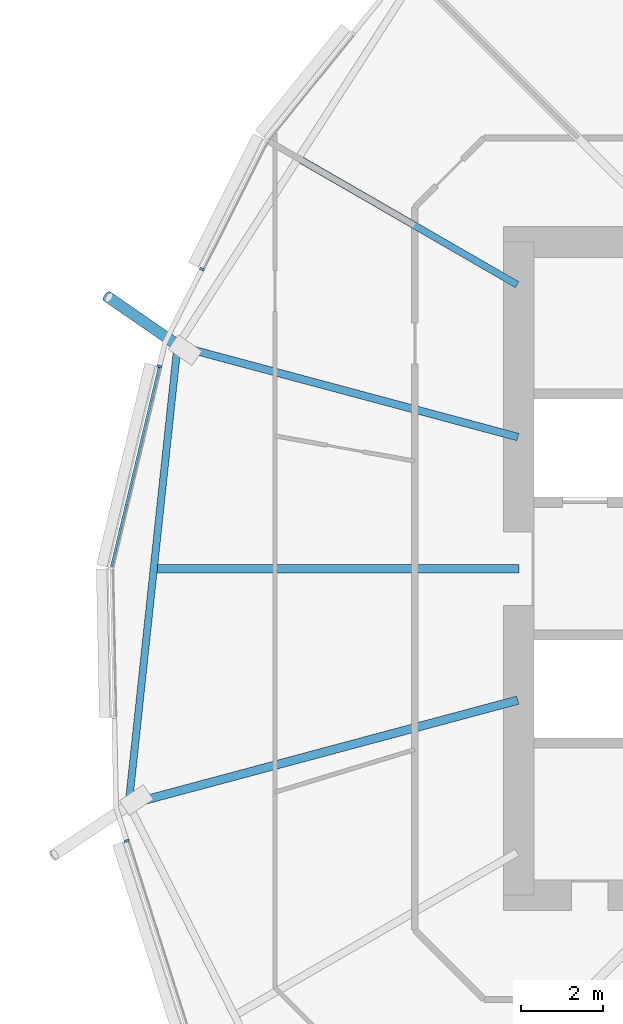
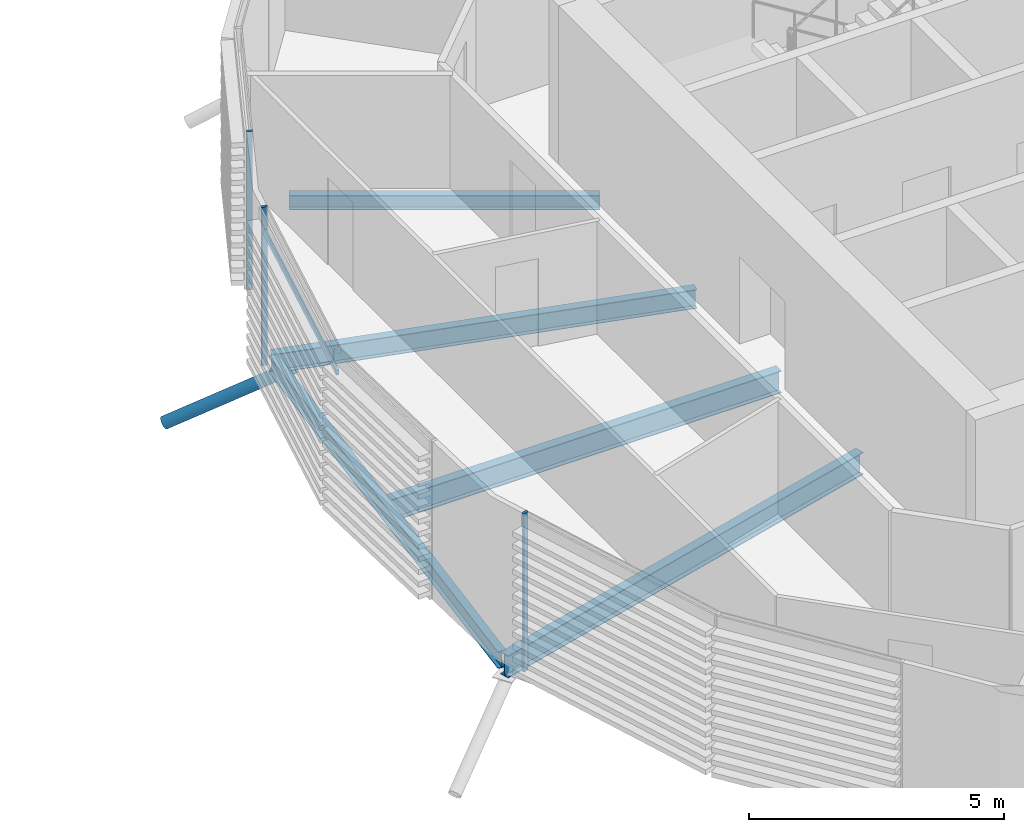
# One storey, part 14 of 38: 5 beams, 5 members, 1 element without a shape of its own.
"""IFC4 building model written with IfcOpenShell, lengths in metres."""

from ifc_helpers import new_model, si_unit, direction, frame, origin, origin_2d, place, context, subcontext, project, spatial, rectangle, hollow_circle, i_section, extrude, clip, halfspace, material, material_profile, profile_set, type_object, element, aggregate, save


model = new_model("IFC4")

# Units and contexts
model_context = context("Model", 3, precision=1e-05, world=origin(), true_north=direction((0.0, 1.0)))
body_context = subcontext(model_context, "Body", "Model", "MODEL_VIEW")
ifc_project = project(units=[si_unit("LENGTHUNIT", "METRE"), si_unit("AREAUNIT", "SQUARE_METRE"), si_unit("VOLUMEUNIT", "CUBIC_METRE"), si_unit("PLANEANGLEUNIT", "RADIAN"), si_unit("MASSUNIT", "GRAM", prefix="KILO")], contexts=[model_context])

# Site, building, storey
site_placement = place(None, origin())
site = spatial("IfcSite", under=ifc_project, at=site_placement, CompositionType="ELEMENT")
building_placement = place(site_placement, origin())
building = spatial("IfcBuilding", under=site, at=building_placement, Name="Rimbun Link Towers", CompositionType="ELEMENT")
storey_placement = place(building_placement, frame((0.0, 0.0, 108.199951171875)))
storey = spatial("IfcBuildingStorey", under=building, at=storey_placement, Name="L26", CompositionType="ELEMENT", Elevation=108.199951171875)

# Curtain wall, members
ifc_material_1 = material(Name="Aluminium 6063-T6 and low-iron glass", Category="aluminium")
curtain_wall_type = type_object("IfcCurtainWallType", Name="CW1-Z2 unitised vision wall (zone 2)", PredefinedType="NOTDEFINED", material=ifc_material_1)
curtain_wall_placement = place(storey_placement, origin())
curtain_wall = element("IfcCurtainWall", 1, at=curtain_wall_placement, inside=storey, type_object=curtain_wall_type, Name="CW1 L26 T2", PredefinedType="NOTDEFINED")
ifc_material_2 = material(Name="Aluminium 6063-T6", Category="aluminium")
ifc_material_profile_1 = material_profile(ifc_material_2, rectangle(XDim=0.1201171875, YDim=0.06005859375, at=origin_2d()), Name="MULLION 60X120")
ifc_profile_set_1 = profile_set([ifc_material_profile_1], Name="Aluminium 6063-T6")
member_type_1 = type_object("IfcMemberType", Name="CW1 mullion 60X120", PredefinedType="MULLION", material=ifc_profile_set_1)
member_1_placement = place(storey_placement, frame((11.98486328125, 7.33642578125, 0.0), z_axis=(0.0, 0.0, 1.0), x_axis=(-0.893637595797, 0.448789312905, 0.0)))
member_1 = element("IfcMember", 2, at=member_1_placement, type_object=member_type_1, Name="CW1 mullion", PredefinedType="MULLION", context=body_context, shape_type="SweptSolid", body=[
    extrude(rectangle(XDim=0.1201171875, YDim=0.06005859375, at=origin_2d()), origin(), (0.0, 0.0, 1.0), 3.800048828125),
])
member_2_placement = place(storey_placement, frame((10.943115234375, 4.95263671875, 0.0), z_axis=(0.0, 0.0, 1.0), x_axis=(-0.972575947038, 0.232585526726, 0.0)))
member_2 = element("IfcMember", 3, at=member_2_placement, type_object=member_type_1, Name="CW1 mullion", PredefinedType="MULLION", context=body_context, shape_type="SweptSolid", body=[
    extrude(rectangle(XDim=0.1201171875, YDim=0.06005859375, at=origin_2d()), origin(), (0.0, 0.0, 1.0), 3.800048828125),
])
member_3_placement = place(storey_placement, frame((10.143798828125, -6.671142578125, 0.0), z_axis=(0.0, 0.0, 1.0), x_axis=(-0.952972314709, -0.303057366512, 0.0)))
member_3 = element("IfcMember", 4, at=member_3_placement, type_object=member_type_1, Name="CW1 mullion", PredefinedType="MULLION", context=body_context, shape_type="SweptSolid", body=[
    extrude(rectangle(XDim=0.1201171875, YDim=0.06005859375, at=origin_2d()), origin(), (0.0, 0.0, 1.0), 3.800048828125),
])
ifc_material_3 = material(Name="Aluminium 6063-T6", Category="aluminium")
ifc_material_profile_2 = material_profile(ifc_material_3, rectangle(XDim=0.06005859375, YDim=0.1201171875, at=origin_2d()), Name="TRANSOM 60X120")
ifc_profile_set_2 = profile_set([ifc_material_profile_2], Name="Aluminium 6063-T6")
member_type_2 = type_object("IfcMemberType", Name="CW1 transom 60X120", PredefinedType="USERDEFINED", material=ifc_profile_set_2)
member_4_placement = place(storey_placement, frame((9.77099609375, 0.042724609375, 3.199951171875), z_axis=(0.232574213741, 0.972578652399, 0.0), x_axis=(-0.972578652399, 0.232574213741, 0.0)))
member_4 = element("IfcMember", 5, at=member_4_placement, type_object=member_type_2, Name="CW1 transom", ObjectType="TRANSOM", PredefinedType="USERDEFINED", context=body_context, shape_type="SweptSolid", body=[
    extrude(rectangle(XDim=0.06005859375, YDim=0.1201171875, at=origin_2d()), origin(), (0.0, 0.0, 1.0), 5.017822265625),
])
aggregate(curtain_wall, [member_1, member_2, member_3, member_4])

# Member
ifc_material_4 = material(Name="Steel S355J2H", Category="steel")
ifc_material_profile_3 = material_profile(ifc_material_4, hollow_circle(Radius=0.136474609375, WallThickness=0.012451171875, at=origin_2d()), Name="CHS 273x12.5")
ifc_profile_set_3 = profile_set([ifc_material_profile_3], Name="Steel S355J2H")
member_type_3 = type_object("IfcMemberType", Name="Floor edge link CHS 273x12.5", PredefinedType="BRACE", material=ifc_profile_set_3)
member_5_placement = place(storey_placement, frame((11.435791015625, 5.443115234375, -0.73095703125), z_axis=(-0.711430141234, 0.491458762213, -0.502330010241), x_axis=(-0.568373321515, -0.822770786665, 0.0)))
element("IfcMember", 6, at=member_5_placement, inside=storey, type_object=member_type_3, Name="Floor edge link T2 L26 08", PredefinedType="BRACE", context=body_context, shape_type="Clipping", body=[
    clip(extrude(hollow_circle(Radius=0.136474609375, WallThickness=0.012451171875, at=origin_2d()), frame((0.0, 0.0, -0.48974609375)), (0.0, 0.0, 1.0), 2.982666015625), halfspace(frame((0.0, 0.0, -0.230224609375), z_axis=(0.0, 0.864675986027, -0.502330010241)), False)),
])

# Beams
ifc_material_5 = material(Name="Steel S355J2", Category="steel")
ifc_material_profile_4 = material_profile(ifc_material_5, i_section(OverallWidth=0.17138671875, OverallDepth=0.35498046875, WebThickness=0.00732421875, FlangeThickness=0.011474609375, at=origin_2d()), Name="UB 356x171x51")
ifc_profile_set_4 = profile_set([ifc_material_profile_4], Name="Steel S355J2")
beam_type_1 = type_object("IfcBeamType", Name="UB 356x171x51", PredefinedType="BEAM", material=ifc_profile_set_4)
beam_1_placement = place(storey_placement, frame((19.706298828125, 6.95361328125, -0.33740234375), z_axis=(-0.866034943807, 0.499983475832, 0.0), x_axis=(-0.499983475832, -0.866034943807, 0.0)))
element("IfcBeam", 7, at=beam_1_placement, inside=storey, type_object=beam_type_1, Name="Radial beam T2 L26 07", PredefinedType="BEAM", context=body_context, shape_type="SweptSolid", body=[
    extrude(i_section(OverallWidth=0.17138671875, OverallDepth=0.35498046875, WebThickness=0.00732421875, FlangeThickness=0.011474609375, at=origin_2d()), origin(), (0.0, 0.0, 1.0), 6.099365234375),
])
ifc_material_6 = material(Name="Steel S355J2", Category="steel")
ifc_material_profile_5 = material_profile(ifc_material_6, i_section(OverallWidth=0.177978515625, OverallDepth=0.406494140625, WebThickness=0.0078125, FlangeThickness=0.0126953125, at=origin_2d()), Name="UB 406x178x60")
ifc_profile_set_5 = profile_set([ifc_material_profile_5], Name="Steel S355J2")
beam_type_2 = type_object("IfcBeamType", Name="UB 406x178x60", PredefinedType="BEAM", material=ifc_profile_set_5)
beam_2_placement = place(storey_placement, frame((11.377197265625, 5.359619140625, -0.363037109375), z_axis=(-0.105820804434, -0.994385215774, 0.0), x_axis=(0.994385215774, -0.105820804434, 0.0)))
element("IfcBeam", 8, at=beam_2_placement, inside=storey, type_object=beam_type_2, Name="Edge beam T2 L26 08-10", PredefinedType="BEAM", context=body_context, shape_type="SweptSolid", body=[
    extrude(i_section(OverallWidth=0.177978515625, OverallDepth=0.406494140625, WebThickness=0.0078125, FlangeThickness=0.0126953125, at=origin_2d()), origin(), (0.0, 0.0, 1.0), 11.085693359375),
])
ifc_material_7 = material(Name="Steel S355J2", Category="steel")
ifc_material_profile_6 = material_profile(ifc_material_7, i_section(OverallWidth=0.18994140625, OverallDepth=0.453369140625, WebThickness=0.008544921875, FlangeThickness=0.0126953125, at=origin_2d()), Name="UB 457x191x67")
ifc_profile_set_6 = profile_set([ifc_material_profile_6], Name="Steel S355J2")
beam_type_3 = type_object("IfcBeamType", Name="UB 457x191x67", PredefinedType="BEAM", material=ifc_profile_set_6)
beam_3_placement = place(storey_placement, frame((19.724609375, 3.22216796875, -0.38671875), z_axis=(-0.965925324367, 0.258820918295, 0.0), x_axis=(-0.258820918295, -0.965925324367, 0.0)))
element("IfcBeam", 9, at=beam_3_placement, inside=storey, type_object=beam_type_3, Name="Radial beam T2 L26 08", PredefinedType="BEAM", context=body_context, shape_type="SweptSolid", body=[
    extrude(i_section(OverallWidth=0.18994140625, OverallDepth=0.453369140625, WebThickness=0.008544921875, FlangeThickness=0.0126953125, at=origin_2d()), origin(), (0.0, 0.0, 1.0), 8.631103515625),
])
ifc_material_8 = material(Name="Steel S355J2", Category="steel")
ifc_material_profile_7 = material_profile(ifc_material_8, i_section(OverallWidth=0.209228515625, OverallDepth=0.533203125, WebThickness=0.010009765625, FlangeThickness=0.015625, at=origin_2d()), Name="UB 533x210x92")
ifc_profile_set_7 = profile_set([ifc_material_profile_7], Name="Steel S355J2")
beam_type_4 = type_object("IfcBeamType", Name="UB 533x210x92", PredefinedType="BEAM", material=ifc_profile_set_7)
beam_4_placement = place(storey_placement, frame((19.7490234375, 0.0, -0.426513671875), z_axis=(-1.0, 0.0, 0.0), x_axis=(0.0, -1.0, 0.0)))
element("IfcBeam", 10, at=beam_4_placement, inside=storey, type_object=beam_type_4, Name="Radial beam T2 L26 09", PredefinedType="BEAM", context=body_context, shape_type="SweptSolid", body=[
    extrude(i_section(OverallWidth=0.209228515625, OverallDepth=0.533203125, WebThickness=0.010009765625, FlangeThickness=0.015625, at=origin_2d()), origin(), (0.0, 0.0, 1.0), 8.8515625),
])
beam_5_placement = place(storey_placement, frame((19.721923828125, -3.222900390625, -0.426513671875), z_axis=(-0.965926622958, -0.258816071874, 0.0), x_axis=(0.258816071874, -0.965926622958, 0.0)))
element("IfcBeam", 11, at=beam_5_placement, inside=storey, type_object=beam_type_4, Name="Radial beam T2 L26 10", PredefinedType="BEAM", context=body_context, shape_type="SweptSolid", body=[
    extrude(i_section(OverallWidth=0.209228515625, OverallDepth=0.533203125, WebThickness=0.010009765625, FlangeThickness=0.015625, at=origin_2d()), origin(), (0.0, 0.0, 1.0), 9.865966796875),
])

save(model, "model.ifc")
